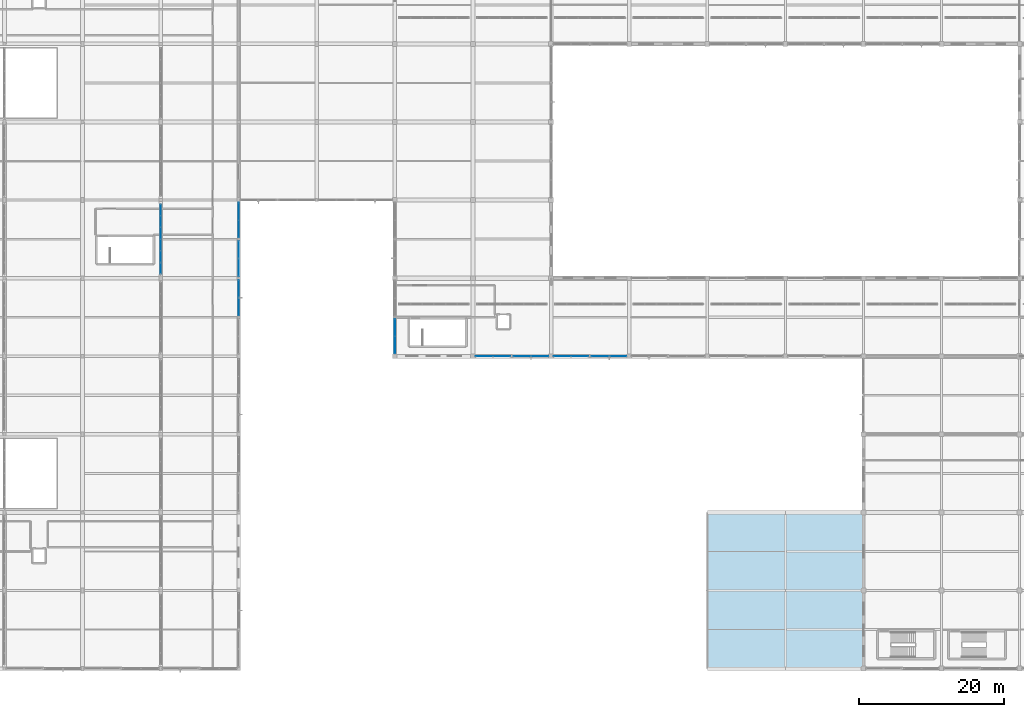
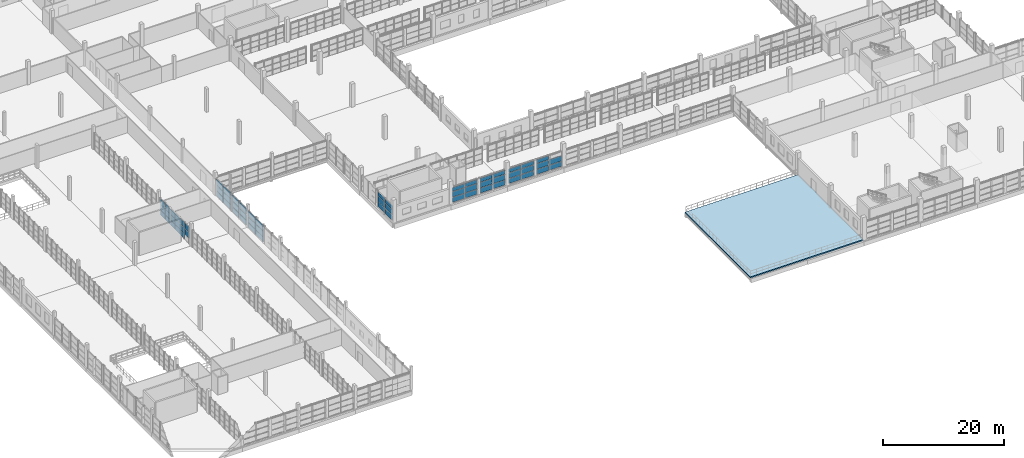
# One storey, part 85 of 142: 64 plates, 1 slab, 9 elements without a shape of their own.
"""IFC4 building model written with IfcOpenShell, lengths in metres."""

from ifc_helpers import new_model, si_unit, direction, frame, origin, origin_2d, place, context, subcontext, project, spatial, polyline, rectangle, outline, extrude, material, layer, layer_set, type_object, element, aggregate, save


model = new_model("IFC4")

# Units and contexts
model_context = context("Model", 3, precision=1e-05, world=origin(), true_north=direction((0.0, 1.0)))
body_context = subcontext(model_context, "Body", "Model", "MODEL_VIEW")
ifc_project = project(units=[si_unit("LENGTHUNIT", "METRE"), si_unit("AREAUNIT", "SQUARE_METRE"), si_unit("VOLUMEUNIT", "CUBIC_METRE"), si_unit("PLANEANGLEUNIT", "RADIAN"), si_unit("MASSUNIT", "GRAM", prefix="KILO")], contexts=[model_context])

# Site, building, storey
site_placement = place(None, origin())
site = spatial("IfcSite", under=ifc_project, at=site_placement, CompositionType="ELEMENT")
building_placement = place(site_placement, origin())
building = spatial("IfcBuilding", under=site, at=building_placement, Name="Zwinboog Wholesale Market", CompositionType="ELEMENT")
storey_placement = place(building_placement, frame((0.0, 0.0, 5.39990234375)))
storey = spatial("IfcBuildingStorey", under=building, at=storey_placement, Name="L01", CompositionType="ELEMENT", Elevation=5.39990234375)

# Slab
ifc_material_1 = material(Name="Concrete C40/50", Category="concrete")
ifc_layer_1 = layer(ifc_material_1, 0.241943359375)
ifc_layer_set_1 = layer_set([ifc_layer_1], Name="Concrete C40/50")
slab_type = type_object("IfcSlabType", Name="SLT-EX-242", PredefinedType="FLOOR", material=ifc_layer_set_1)
slab_placement = place(storey_placement, frame((0.0, 0.0, -0.241943359375)))
element("IfcSlab", 1, at=slab_placement, inside=storey, type_object=slab_type, Name="Market Canteen Park Dining Terrace", PredefinedType="FLOOR", context=body_context, shape_type="SweptSolid", body=[
    extrude(outline(polyline([(108.0, 0.0), (129.60009765625, 0.0), (129.60009765625, 21.60009765625), (108.0, 21.60009765625), (108.0, 0.0)])), origin(), (0.0, 0.0, 1.0), 0.241943359375),
])

# Curtain wall, plates
ifc_material_2 = material(Name="Aluminium thermally broken curtain wall", Category="aluminium")
curtain_wall_type_1 = type_object("IfcCurtainWallType", Name="CWT-OFF-15", PredefinedType="USERDEFINED", material=ifc_material_2)
curtain_wall_1_placement = place(storey_placement, origin())
curtain_wall_1 = element("IfcCurtainWall", 2, at=curtain_wall_1_placement, inside=storey, type_object=curtain_wall_type_1, Name="CW-06 (CW-L01-078)", ObjectType="UNITIZED_CURTAIN_WALL", PredefinedType="USERDEFINED")
ifc_material_3 = material(Name="Double low-e insulated glazing", Category="glass")
ifc_layer_2 = layer(ifc_material_3, 0.031982421875)
ifc_layer_set_2 = layer_set([ifc_layer_2], Name="Double low-e insulated glazing")
plate_type_1 = type_object("IfcPlateType", Name="CWP-IGU-32", PredefinedType="CURTAIN_PANEL", material=ifc_layer_set_2)
plate_1_placement = place(storey_placement, frame((43.199951171875, 50.06005859375, 0.06005859375), z_axis=(0.0, 0.0, 1.0), x_axis=(0.0, 1.0, 0.0)))
plate_1 = element("IfcPlate", 3, at=plate_1_placement, type_object=plate_type_1, Name="CW-06 panel 1.1", PredefinedType="CURTAIN_PANEL", context=body_context, shape_type="SweptSolid", body=[
    extrude(rectangle(XDim=2.39990234375, YDim=0.031982421875, at=origin_2d()), origin(), (0.0, 0.0, 1.0), 1.010009765625),
])
plate_2_placement = place(storey_placement, frame((43.199951171875, 50.06005859375, 1.1298828125), z_axis=(0.0, 0.0, 1.0), x_axis=(0.0, 1.0, 0.0)))
plate_2 = element("IfcPlate", 4, at=plate_2_placement, type_object=plate_type_1, Name="CW-06 panel 1.2", PredefinedType="CURTAIN_PANEL", context=body_context, shape_type="SweptSolid", body=[
    extrude(rectangle(XDim=2.39990234375, YDim=0.031982421875, at=origin_2d()), origin(), (0.0, 0.0, 1.0), 1.090087890625),
])
plate_3_placement = place(storey_placement, frame((43.199951171875, 50.06005859375, 2.280029296875), z_axis=(0.0, 0.0, 1.0), x_axis=(0.0, 1.0, 0.0)))
plate_3 = element("IfcPlate", 5, at=plate_3_placement, type_object=plate_type_1, Name="CW-06 panel 1.3", PredefinedType="CURTAIN_PANEL", context=body_context, shape_type="SweptSolid", body=[
    extrude(rectangle(XDim=2.39990234375, YDim=0.031982421875, at=origin_2d()), origin(), (0.0, 0.0, 1.0), 1.18994140625),
])
plate_4_placement = place(storey_placement, frame((43.199951171875, 52.52001953125, 0.06005859375), z_axis=(0.0, 0.0, 1.0), x_axis=(0.0, 1.0, 0.0)))
plate_4 = element("IfcPlate", 6, at=plate_4_placement, type_object=plate_type_1, Name="CW-06 panel 2.1", PredefinedType="CURTAIN_PANEL", context=body_context, shape_type="SweptSolid", body=[
    extrude(rectangle(XDim=2.39990234375, YDim=0.031982421875, at=origin_2d()), origin(), (0.0, 0.0, 1.0), 1.010009765625),
])
plate_5_placement = place(storey_placement, frame((43.199951171875, 52.52001953125, 1.1298828125), z_axis=(0.0, 0.0, 1.0), x_axis=(0.0, 1.0, 0.0)))
plate_5 = element("IfcPlate", 7, at=plate_5_placement, type_object=plate_type_1, Name="CW-06 panel 2.2", PredefinedType="CURTAIN_PANEL", context=body_context, shape_type="SweptSolid", body=[
    extrude(rectangle(XDim=2.39990234375, YDim=0.031982421875, at=origin_2d()), origin(), (0.0, 0.0, 1.0), 1.090087890625),
])
plate_6_placement = place(storey_placement, frame((43.199951171875, 52.52001953125, 2.280029296875), z_axis=(0.0, 0.0, 1.0), x_axis=(0.0, 1.0, 0.0)))
plate_6 = element("IfcPlate", 8, at=plate_6_placement, type_object=plate_type_1, Name="CW-06 panel 2.3", PredefinedType="CURTAIN_PANEL", context=body_context, shape_type="SweptSolid", body=[
    extrude(rectangle(XDim=2.39990234375, YDim=0.031982421875, at=origin_2d()), origin(), (0.0, 0.0, 1.0), 1.18994140625),
])
aggregate(curtain_wall_1, [plate_1, plate_2, plate_3, plate_4, plate_5, plate_6])

curtain_wall_type_2 = type_object("IfcCurtainWallType", Name="CWT-STALL-18", PredefinedType="USERDEFINED", material=ifc_material_2)
curtain_wall_2_placement = place(storey_placement, origin())
curtain_wall_2 = element("IfcCurtainWall", 9, at=curtain_wall_2_placement, inside=storey, type_object=curtain_wall_type_2, Name="CW-01 (CW-L01-079)", ObjectType="STOREFRONT_GLAZING", PredefinedType="USERDEFINED")
plate_7_placement = place(storey_placement, frame((43.199951171875, 55.481201171875, 0.065185546875), z_axis=(0.0, 0.0, 1.0), x_axis=(0.0, 1.0, 0.0)))
plate_7 = element("IfcPlate", 10, at=plate_7_placement, type_object=plate_type_1, Name="CW-01 panel 1.1", PredefinedType="CURTAIN_PANEL", context=body_context, shape_type="SweptSolid", body=[
    extrude(rectangle(XDim=2.392578125, YDim=0.031982421875, at=origin_2d()), origin(), (0.0, 0.0, 1.0), 1.00244140625),
])
plate_8_placement = place(storey_placement, frame((43.199951171875, 55.481201171875, 1.132568359375), z_axis=(0.0, 0.0, 1.0), x_axis=(0.0, 1.0, 0.0)))
plate_8 = element("IfcPlate", 11, at=plate_8_placement, type_object=plate_type_1, Name="CW-01 panel 1.2", PredefinedType="CURTAIN_PANEL", context=body_context, shape_type="SweptSolid", body=[
    extrude(rectangle(XDim=2.392578125, YDim=0.031982421875, at=origin_2d()), origin(), (0.0, 0.0, 1.0), 1.0849609375),
])
plate_9_placement = place(storey_placement, frame((43.199951171875, 55.481201171875, 2.282470703125), z_axis=(0.0, 0.0, 1.0), x_axis=(0.0, 1.0, 0.0)))
plate_9 = element("IfcPlate", 12, at=plate_9_placement, type_object=plate_type_1, Name="CW-01 panel 1.3", PredefinedType="CURTAIN_PANEL", context=body_context, shape_type="SweptSolid", body=[
    extrude(rectangle(XDim=2.392578125, YDim=0.031982421875, at=origin_2d()), origin(), (0.0, 0.0, 1.0), 1.1826171875),
])
plate_10_placement = place(storey_placement, frame((43.199951171875, 57.938720703125, 0.065185546875), z_axis=(0.0, 0.0, 1.0), x_axis=(0.0, 1.0, 0.0)))
plate_10 = element("IfcPlate", 13, at=plate_10_placement, type_object=plate_type_1, Name="CW-01 panel 2.1", PredefinedType="CURTAIN_PANEL", context=body_context, shape_type="SweptSolid", body=[
    extrude(rectangle(XDim=2.392578125, YDim=0.031982421875, at=origin_2d()), origin(), (0.0, 0.0, 1.0), 1.00244140625),
])
plate_11_placement = place(storey_placement, frame((43.199951171875, 57.938720703125, 1.132568359375), z_axis=(0.0, 0.0, 1.0), x_axis=(0.0, 1.0, 0.0)))
plate_11 = element("IfcPlate", 14, at=plate_11_placement, type_object=plate_type_1, Name="CW-01 panel 2.2", PredefinedType="CURTAIN_PANEL", context=body_context, shape_type="SweptSolid", body=[
    extrude(rectangle(XDim=2.392578125, YDim=0.031982421875, at=origin_2d()), origin(), (0.0, 0.0, 1.0), 1.0849609375),
])
plate_12_placement = place(storey_placement, frame((43.199951171875, 57.938720703125, 2.282470703125), z_axis=(0.0, 0.0, 1.0), x_axis=(0.0, 1.0, 0.0)))
plate_12 = element("IfcPlate", 15, at=plate_12_placement, type_object=plate_type_1, Name="CW-01 panel 2.3", PredefinedType="CURTAIN_PANEL", context=body_context, shape_type="SweptSolid", body=[
    extrude(rectangle(XDim=2.392578125, YDim=0.031982421875, at=origin_2d()), origin(), (0.0, 0.0, 1.0), 1.1826171875),
])
aggregate(curtain_wall_2, [plate_7, plate_8, plate_9, plate_10, plate_11, plate_12])

curtain_wall_type_3 = type_object("IfcCurtainWallType", Name="CWT-STALL-20", PredefinedType="USERDEFINED", material=ifc_material_2)
curtain_wall_3_placement = place(storey_placement, origin())
curtain_wall_3 = element("IfcCurtainWall", 16, at=curtain_wall_3_placement, inside=storey, type_object=curtain_wall_type_3, Name="CW-02 (CW-L01-080)", ObjectType="STOREFRONT_GLAZING", PredefinedType="USERDEFINED")
plate_13_placement = place(storey_placement, frame((43.199951171875, 60.8349609375, 0.06005859375), z_axis=(0.0, 0.0, 1.0), x_axis=(0.0, 1.0, 0.0)))
plate_13 = element("IfcPlate", 17, at=plate_13_placement, type_object=plate_type_1, Name="CW-02 panel 1.1", PredefinedType="CURTAIN_PANEL", context=body_context, shape_type="SweptSolid", body=[
    extrude(rectangle(XDim=2.35009765625, YDim=0.031982421875, at=origin_2d()), origin(), (0.0, 0.0, 1.0), 1.010009765625),
])
plate_14_placement = place(storey_placement, frame((43.199951171875, 60.8349609375, 1.1298828125), z_axis=(0.0, 0.0, 1.0), x_axis=(0.0, 1.0, 0.0)))
plate_14 = element("IfcPlate", 18, at=plate_14_placement, type_object=plate_type_1, Name="CW-02 panel 1.2", PredefinedType="CURTAIN_PANEL", context=body_context, shape_type="SweptSolid", body=[
    extrude(rectangle(XDim=2.35009765625, YDim=0.031982421875, at=origin_2d()), origin(), (0.0, 0.0, 1.0), 1.090087890625),
])
plate_15_placement = place(storey_placement, frame((43.199951171875, 60.8349609375, 2.280029296875), z_axis=(0.0, 0.0, 1.0), x_axis=(0.0, 1.0, 0.0)))
plate_15 = element("IfcPlate", 19, at=plate_15_placement, type_object=plate_type_1, Name="CW-02 panel 1.3", PredefinedType="CURTAIN_PANEL", context=body_context, shape_type="SweptSolid", body=[
    extrude(rectangle(XDim=2.35009765625, YDim=0.031982421875, at=origin_2d()), origin(), (0.0, 0.0, 1.0), 1.18994140625),
])
plate_16_placement = place(storey_placement, frame((43.199951171875, 63.2451171875, 0.06005859375), z_axis=(0.0, 0.0, 1.0), x_axis=(0.0, 1.0, 0.0)))
plate_16 = element("IfcPlate", 20, at=plate_16_placement, type_object=plate_type_1, Name="CW-02 panel 2.1", PredefinedType="CURTAIN_PANEL", context=body_context, shape_type="SweptSolid", body=[
    extrude(rectangle(XDim=2.35009765625, YDim=0.031982421875, at=origin_2d()), origin(), (0.0, 0.0, 1.0), 1.010009765625),
])
plate_17_placement = place(storey_placement, frame((43.199951171875, 63.2451171875, 1.1298828125), z_axis=(0.0, 0.0, 1.0), x_axis=(0.0, 1.0, 0.0)))
plate_17 = element("IfcPlate", 21, at=plate_17_placement, type_object=plate_type_1, Name="CW-02 panel 2.2", PredefinedType="CURTAIN_PANEL", context=body_context, shape_type="SweptSolid", body=[
    extrude(rectangle(XDim=2.35009765625, YDim=0.031982421875, at=origin_2d()), origin(), (0.0, 0.0, 1.0), 1.090087890625),
])
plate_18_placement = place(storey_placement, frame((43.199951171875, 63.2451171875, 2.280029296875), z_axis=(0.0, 0.0, 1.0), x_axis=(0.0, 1.0, 0.0)))
plate_18 = element("IfcPlate", 22, at=plate_18_placement, type_object=plate_type_1, Name="CW-02 panel 2.3", PredefinedType="CURTAIN_PANEL", context=body_context, shape_type="SweptSolid", body=[
    extrude(rectangle(XDim=2.35009765625, YDim=0.031982421875, at=origin_2d()), origin(), (0.0, 0.0, 1.0), 1.18994140625),
])
aggregate(curtain_wall_3, [plate_13, plate_14, plate_15, plate_16, plate_17, plate_18])

curtain_wall_4_placement = place(storey_placement, origin())
curtain_wall_4 = element("IfcCurtainWall", 23, at=curtain_wall_4_placement, inside=storey, type_object=curtain_wall_type_2, Name="CW-01 (CW-L01-085)", ObjectType="STOREFRONT_GLAZING", PredefinedType="USERDEFINED")
ifc_material_4 = material(Name="Triple solar-control insulated glazing", Category="glass")
ifc_layer_3 = layer(ifc_material_4, 0.0380859375)
ifc_layer_set_3 = layer_set([ifc_layer_3], Name="Triple solar-control insulated glazing")
plate_type_2 = type_object("IfcPlateType", Name="CWP-IGU-38", PredefinedType="CURTAIN_PANEL", material=ifc_layer_set_3)
plate_19_placement = place(storey_placement, frame((64.800048828125, 44.75634765625, 0.065185546875), z_axis=(0.0, 0.0, 1.0), x_axis=(0.0, 1.0, 0.0)))
plate_19 = element("IfcPlate", 24, at=plate_19_placement, type_object=plate_type_2, Name="CW-01 panel 1.1", PredefinedType="CURTAIN_PANEL", context=body_context, shape_type="SweptSolid", body=[
    extrude(rectangle(XDim=2.342529296875, YDim=0.0380859375, at=origin_2d()), origin(), (0.0, 0.0, 1.0), 1.00244140625),
])
plate_20_placement = place(storey_placement, frame((64.800048828125, 44.75634765625, 1.132568359375), z_axis=(0.0, 0.0, 1.0), x_axis=(0.0, 1.0, 0.0)))
plate_20 = element("IfcPlate", 25, at=plate_20_placement, type_object=plate_type_2, Name="CW-01 panel 1.2", PredefinedType="CURTAIN_PANEL", context=body_context, shape_type="SweptSolid", body=[
    extrude(rectangle(XDim=2.342529296875, YDim=0.0380859375, at=origin_2d()), origin(), (0.0, 0.0, 1.0), 1.0849609375),
])
plate_21_placement = place(storey_placement, frame((64.800048828125, 44.75634765625, 2.28271484375), z_axis=(0.0, 0.0, 1.0), x_axis=(0.0, 1.0, 0.0)))
plate_21 = element("IfcPlate", 26, at=plate_21_placement, type_object=plate_type_2, Name="CW-01 panel 1.3", PredefinedType="CURTAIN_PANEL", context=body_context, shape_type="SweptSolid", body=[
    extrude(rectangle(XDim=2.342529296875, YDim=0.0380859375, at=origin_2d()), origin(), (0.0, 0.0, 1.0), 0.7724609375),
])
plate_22_placement = place(storey_placement, frame((64.800048828125, 47.163818359375, 0.065185546875), z_axis=(0.0, 0.0, 1.0), x_axis=(0.0, 1.0, 0.0)))
plate_22 = element("IfcPlate", 27, at=plate_22_placement, type_object=plate_type_2, Name="CW-01 panel 2.1", PredefinedType="CURTAIN_PANEL", context=body_context, shape_type="SweptSolid", body=[
    extrude(rectangle(XDim=2.342529296875, YDim=0.0380859375, at=origin_2d()), origin(), (0.0, 0.0, 1.0), 1.00244140625),
])
plate_23_placement = place(storey_placement, frame((64.800048828125, 47.163818359375, 1.132568359375), z_axis=(0.0, 0.0, 1.0), x_axis=(0.0, 1.0, 0.0)))
plate_23 = element("IfcPlate", 28, at=plate_23_placement, type_object=plate_type_2, Name="CW-01 panel 2.2", PredefinedType="CURTAIN_PANEL", context=body_context, shape_type="SweptSolid", body=[
    extrude(rectangle(XDim=2.342529296875, YDim=0.0380859375, at=origin_2d()), origin(), (0.0, 0.0, 1.0), 1.0849609375),
])
plate_24_placement = place(storey_placement, frame((64.800048828125, 47.163818359375, 2.28271484375), z_axis=(0.0, 0.0, 1.0), x_axis=(0.0, 1.0, 0.0)))
plate_24 = element("IfcPlate", 29, at=plate_24_placement, type_object=plate_type_2, Name="CW-01 panel 2.3", PredefinedType="CURTAIN_PANEL", context=body_context, shape_type="SweptSolid", body=[
    extrude(rectangle(XDim=2.342529296875, YDim=0.0380859375, at=origin_2d()), origin(), (0.0, 0.0, 1.0), 0.7724609375),
])
aggregate(curtain_wall_4, [plate_19, plate_20, plate_21, plate_22, plate_23, plate_24])

curtain_wall_type_4 = type_object("IfcCurtainWallType", Name="CWT-CAFE-22", PredefinedType="USERDEFINED", material=ifc_material_2)
curtain_wall_5_placement = place(storey_placement, origin())
curtain_wall_5 = element("IfcCurtainWall", 30, at=curtain_wall_5_placement, inside=storey, type_object=curtain_wall_type_4, Name="CW-05 (CW-L01-089)", ObjectType="STOREFRONT_GLAZING", PredefinedType="USERDEFINED")
plate_25_placement = place(storey_placement, frame((77.15625, 43.199951171875, 0.065185546875), z_axis=(0.0, 0.0, 1.0), x_axis=(1.0, 0.0, 0.0)))
plate_25 = element("IfcPlate", 31, at=plate_25_placement, type_object=plate_type_2, Name="CW-05 panel 1.1", PredefinedType="CURTAIN_PANEL", context=body_context, shape_type="SweptSolid", body=[
    extrude(rectangle(XDim=2.342529296875, YDim=0.0380859375, at=origin_2d()), origin(), (0.0, 0.0, 1.0), 1.00244140625),
])
plate_26_placement = place(storey_placement, frame((77.15625, 43.199951171875, 1.132568359375), z_axis=(0.0, 0.0, 1.0), x_axis=(1.0, 0.0, 0.0)))
plate_26 = element("IfcPlate", 32, at=plate_26_placement, type_object=plate_type_2, Name="CW-05 panel 1.2", PredefinedType="CURTAIN_PANEL", context=body_context, shape_type="SweptSolid", body=[
    extrude(rectangle(XDim=2.342529296875, YDim=0.0380859375, at=origin_2d()), origin(), (0.0, 0.0, 1.0), 1.0849609375),
])
plate_27_placement = place(storey_placement, frame((77.15625, 43.199951171875, 2.28271484375), z_axis=(0.0, 0.0, 1.0), x_axis=(1.0, 0.0, 0.0)))
plate_27 = element("IfcPlate", 33, at=plate_27_placement, type_object=plate_type_2, Name="CW-05 panel 1.3", PredefinedType="CURTAIN_PANEL", context=body_context, shape_type="SweptSolid", body=[
    extrude(rectangle(XDim=2.342529296875, YDim=0.0380859375, at=origin_2d()), origin(), (0.0, 0.0, 1.0), 0.7724609375),
])
plate_28_placement = place(storey_placement, frame((79.563720703125, 43.199951171875, 0.065185546875), z_axis=(0.0, 0.0, 1.0), x_axis=(1.0, 0.0, 0.0)))
plate_28 = element("IfcPlate", 34, at=plate_28_placement, type_object=plate_type_2, Name="CW-05 panel 2.1", PredefinedType="CURTAIN_PANEL", context=body_context, shape_type="SweptSolid", body=[
    extrude(rectangle(XDim=2.342529296875, YDim=0.0380859375, at=origin_2d()), origin(), (0.0, 0.0, 1.0), 1.00244140625),
])
plate_29_placement = place(storey_placement, frame((79.563720703125, 43.199951171875, 1.132568359375), z_axis=(0.0, 0.0, 1.0), x_axis=(1.0, 0.0, 0.0)))
plate_29 = element("IfcPlate", 35, at=plate_29_placement, type_object=plate_type_2, Name="CW-05 panel 2.2", PredefinedType="CURTAIN_PANEL", context=body_context, shape_type="SweptSolid", body=[
    extrude(rectangle(XDim=2.342529296875, YDim=0.0380859375, at=origin_2d()), origin(), (0.0, 0.0, 1.0), 1.0849609375),
])
plate_30_placement = place(storey_placement, frame((79.563720703125, 43.199951171875, 2.28271484375), z_axis=(0.0, 0.0, 1.0), x_axis=(1.0, 0.0, 0.0)))
plate_30 = element("IfcPlate", 36, at=plate_30_placement, type_object=plate_type_2, Name="CW-05 panel 2.3", PredefinedType="CURTAIN_PANEL", context=body_context, shape_type="SweptSolid", body=[
    extrude(rectangle(XDim=2.342529296875, YDim=0.0380859375, at=origin_2d()), origin(), (0.0, 0.0, 1.0), 0.7724609375),
])
aggregate(curtain_wall_5, [plate_25, plate_26, plate_27, plate_28, plate_29, plate_30])

curtain_wall_6_placement = place(storey_placement, origin())
curtain_wall_6 = element("IfcCurtainWall", 37, at=curtain_wall_6_placement, inside=storey, type_object=curtain_wall_type_1, Name="CW-06 (CW-L01-090)", ObjectType="UNITIZED_CURTAIN_WALL", PredefinedType="USERDEFINED")
plate_31_placement = place(storey_placement, frame((82.43505859375, 43.199951171875, 0.06005859375), z_axis=(0.0, 0.0, 1.0), x_axis=(1.0, 0.0, 0.0)))
plate_31 = element("IfcPlate", 38, at=plate_31_placement, type_object=plate_type_2, Name="CW-06 panel 1.1", PredefinedType="CURTAIN_PANEL", context=body_context, shape_type="SweptSolid", body=[
    extrude(rectangle(XDim=2.35009765625, YDim=0.0380859375, at=origin_2d()), origin(), (0.0, 0.0, 1.0), 1.010009765625),
])
plate_32_placement = place(storey_placement, frame((82.43505859375, 43.199951171875, 1.1298828125), z_axis=(0.0, 0.0, 1.0), x_axis=(1.0, 0.0, 0.0)))
plate_32 = element("IfcPlate", 39, at=plate_32_placement, type_object=plate_type_2, Name="CW-06 panel 1.2", PredefinedType="CURTAIN_PANEL", context=body_context, shape_type="SweptSolid", body=[
    extrude(rectangle(XDim=2.35009765625, YDim=0.0380859375, at=origin_2d()), origin(), (0.0, 0.0, 1.0), 1.090087890625),
])
plate_33_placement = place(storey_placement, frame((82.43505859375, 43.199951171875, 2.2802734375), z_axis=(0.0, 0.0, 1.0), x_axis=(1.0, 0.0, 0.0)))
plate_33 = element("IfcPlate", 40, at=plate_33_placement, type_object=plate_type_2, Name="CW-06 panel 1.3", PredefinedType="CURTAIN_PANEL", context=body_context, shape_type="SweptSolid", body=[
    extrude(rectangle(XDim=2.35009765625, YDim=0.0380859375, at=origin_2d()), origin(), (0.0, 0.0, 1.0), 0.780029296875),
])
plate_34_placement = place(storey_placement, frame((84.844970703125, 43.199951171875, 0.06005859375), z_axis=(0.0, 0.0, 1.0), x_axis=(1.0, 0.0, 0.0)))
plate_34 = element("IfcPlate", 41, at=plate_34_placement, type_object=plate_type_2, Name="CW-06 panel 2.1", PredefinedType="CURTAIN_PANEL", context=body_context, shape_type="SweptSolid", body=[
    extrude(rectangle(XDim=2.35009765625, YDim=0.0380859375, at=origin_2d()), origin(), (0.0, 0.0, 1.0), 1.010009765625),
])
plate_35_placement = place(storey_placement, frame((84.844970703125, 43.199951171875, 1.1298828125), z_axis=(0.0, 0.0, 1.0), x_axis=(1.0, 0.0, 0.0)))
plate_35 = element("IfcPlate", 42, at=plate_35_placement, type_object=plate_type_2, Name="CW-06 panel 2.2", PredefinedType="CURTAIN_PANEL", context=body_context, shape_type="SweptSolid", body=[
    extrude(rectangle(XDim=2.35009765625, YDim=0.0380859375, at=origin_2d()), origin(), (0.0, 0.0, 1.0), 1.090087890625),
])
plate_36_placement = place(storey_placement, frame((84.844970703125, 43.199951171875, 2.2802734375), z_axis=(0.0, 0.0, 1.0), x_axis=(1.0, 0.0, 0.0)))
plate_36 = element("IfcPlate", 43, at=plate_36_placement, type_object=plate_type_2, Name="CW-06 panel 2.3", PredefinedType="CURTAIN_PANEL", context=body_context, shape_type="SweptSolid", body=[
    extrude(rectangle(XDim=2.35009765625, YDim=0.0380859375, at=origin_2d()), origin(), (0.0, 0.0, 1.0), 0.780029296875),
])
aggregate(curtain_wall_6, [plate_31, plate_32, plate_33, plate_34, plate_35, plate_36])

curtain_wall_7_placement = place(storey_placement, origin())
curtain_wall_7 = element("IfcCurtainWall", 44, at=curtain_wall_7_placement, inside=storey, type_object=curtain_wall_type_4, Name="CW-05 (CW-L01-095)", ObjectType="STOREFRONT_GLAZING", PredefinedType="USERDEFINED")
plate_37_placement = place(storey_placement, frame((87.956298828125, 43.199951171875, 0.065185546875), z_axis=(0.0, 0.0, 1.0), x_axis=(1.0, 0.0, 0.0)))
plate_37 = element("IfcPlate", 45, at=plate_37_placement, type_object=plate_type_2, Name="CW-05 panel 1.1", PredefinedType="CURTAIN_PANEL", context=body_context, shape_type="SweptSolid", body=[
    extrude(rectangle(XDim=2.342529296875, YDim=0.0380859375, at=origin_2d()), origin(), (0.0, 0.0, 1.0), 1.00244140625),
])
plate_38_placement = place(storey_placement, frame((87.956298828125, 43.199951171875, 1.132568359375), z_axis=(0.0, 0.0, 1.0), x_axis=(1.0, 0.0, 0.0)))
plate_38 = element("IfcPlate", 46, at=plate_38_placement, type_object=plate_type_2, Name="CW-05 panel 1.2", PredefinedType="CURTAIN_PANEL", context=body_context, shape_type="SweptSolid", body=[
    extrude(rectangle(XDim=2.342529296875, YDim=0.0380859375, at=origin_2d()), origin(), (0.0, 0.0, 1.0), 1.0849609375),
])
plate_39_placement = place(storey_placement, frame((87.956298828125, 43.199951171875, 2.28271484375), z_axis=(0.0, 0.0, 1.0), x_axis=(1.0, 0.0, 0.0)))
plate_39 = element("IfcPlate", 47, at=plate_39_placement, type_object=plate_type_2, Name="CW-05 panel 1.3", PredefinedType="CURTAIN_PANEL", context=body_context, shape_type="SweptSolid", body=[
    extrude(rectangle(XDim=2.342529296875, YDim=0.0380859375, at=origin_2d()), origin(), (0.0, 0.0, 1.0), 0.7724609375),
])
plate_40_placement = place(storey_placement, frame((90.36376953125, 43.199951171875, 0.065185546875), z_axis=(0.0, 0.0, 1.0), x_axis=(1.0, 0.0, 0.0)))
plate_40 = element("IfcPlate", 48, at=plate_40_placement, type_object=plate_type_2, Name="CW-05 panel 2.1", PredefinedType="CURTAIN_PANEL", context=body_context, shape_type="SweptSolid", body=[
    extrude(rectangle(XDim=2.342529296875, YDim=0.0380859375, at=origin_2d()), origin(), (0.0, 0.0, 1.0), 1.00244140625),
])
plate_41_placement = place(storey_placement, frame((90.36376953125, 43.199951171875, 1.132568359375), z_axis=(0.0, 0.0, 1.0), x_axis=(1.0, 0.0, 0.0)))
plate_41 = element("IfcPlate", 49, at=plate_41_placement, type_object=plate_type_2, Name="CW-05 panel 2.2", PredefinedType="CURTAIN_PANEL", context=body_context, shape_type="SweptSolid", body=[
    extrude(rectangle(XDim=2.342529296875, YDim=0.0380859375, at=origin_2d()), origin(), (0.0, 0.0, 1.0), 1.0849609375),
])
plate_42_placement = place(storey_placement, frame((90.36376953125, 43.199951171875, 2.28271484375), z_axis=(0.0, 0.0, 1.0), x_axis=(1.0, 0.0, 0.0)))
plate_42 = element("IfcPlate", 50, at=plate_42_placement, type_object=plate_type_2, Name="CW-05 panel 2.3", PredefinedType="CURTAIN_PANEL", context=body_context, shape_type="SweptSolid", body=[
    extrude(rectangle(XDim=2.342529296875, YDim=0.0380859375, at=origin_2d()), origin(), (0.0, 0.0, 1.0), 0.7724609375),
])
aggregate(curtain_wall_7, [plate_37, plate_38, plate_39, plate_40, plate_41, plate_42])

curtain_wall_8_placement = place(storey_placement, origin())
curtain_wall_8 = element("IfcCurtainWall", 51, at=curtain_wall_8_placement, inside=storey, type_object=curtain_wall_type_1, Name="CW-06 (CW-L01-096)", ObjectType="UNITIZED_CURTAIN_WALL", PredefinedType="USERDEFINED")
plate_43_placement = place(storey_placement, frame((93.235107421875, 43.199951171875, 0.06005859375), z_axis=(0.0, 0.0, 1.0), x_axis=(1.0, 0.0, 0.0)))
plate_43 = element("IfcPlate", 52, at=plate_43_placement, type_object=plate_type_2, Name="CW-06 panel 1.1", PredefinedType="CURTAIN_PANEL", context=body_context, shape_type="SweptSolid", body=[
    extrude(rectangle(XDim=2.35009765625, YDim=0.0380859375, at=origin_2d()), origin(), (0.0, 0.0, 1.0), 1.010009765625),
])
plate_44_placement = place(storey_placement, frame((93.235107421875, 43.199951171875, 1.1298828125), z_axis=(0.0, 0.0, 1.0), x_axis=(1.0, 0.0, 0.0)))
plate_44 = element("IfcPlate", 53, at=plate_44_placement, type_object=plate_type_2, Name="CW-06 panel 1.2", PredefinedType="CURTAIN_PANEL", context=body_context, shape_type="SweptSolid", body=[
    extrude(rectangle(XDim=2.35009765625, YDim=0.0380859375, at=origin_2d()), origin(), (0.0, 0.0, 1.0), 1.090087890625),
])
plate_45_placement = place(storey_placement, frame((93.235107421875, 43.199951171875, 2.2802734375), z_axis=(0.0, 0.0, 1.0), x_axis=(1.0, 0.0, 0.0)))
plate_45 = element("IfcPlate", 54, at=plate_45_placement, type_object=plate_type_2, Name="CW-06 panel 1.3", PredefinedType="CURTAIN_PANEL", context=body_context, shape_type="SweptSolid", body=[
    extrude(rectangle(XDim=2.35009765625, YDim=0.0380859375, at=origin_2d()), origin(), (0.0, 0.0, 1.0), 0.780029296875),
])
plate_46_placement = place(storey_placement, frame((95.64501953125, 43.199951171875, 0.06005859375), z_axis=(0.0, 0.0, 1.0), x_axis=(1.0, 0.0, 0.0)))
plate_46 = element("IfcPlate", 55, at=plate_46_placement, type_object=plate_type_2, Name="CW-06 panel 2.1", PredefinedType="CURTAIN_PANEL", context=body_context, shape_type="SweptSolid", body=[
    extrude(rectangle(XDim=2.35009765625, YDim=0.0380859375, at=origin_2d()), origin(), (0.0, 0.0, 1.0), 1.010009765625),
])
plate_47_placement = place(storey_placement, frame((95.64501953125, 43.199951171875, 1.1298828125), z_axis=(0.0, 0.0, 1.0), x_axis=(1.0, 0.0, 0.0)))
plate_47 = element("IfcPlate", 56, at=plate_47_placement, type_object=plate_type_2, Name="CW-06 panel 2.2", PredefinedType="CURTAIN_PANEL", context=body_context, shape_type="SweptSolid", body=[
    extrude(rectangle(XDim=2.35009765625, YDim=0.0380859375, at=origin_2d()), origin(), (0.0, 0.0, 1.0), 1.090087890625),
])
aggregate(curtain_wall_8, [plate_43, plate_44, plate_45, plate_46, plate_47])

curtain_wall_type_5 = type_object("IfcCurtainWallType", Name="CWT-INT-STALL", PredefinedType="USERDEFINED", material=ifc_material_2)
curtain_wall_9_placement = place(storey_placement, origin())
curtain_wall_9 = element("IfcCurtainWall", 57, at=curtain_wall_9_placement, inside=storey, type_object=curtain_wall_type_5, Name="CW-07 (CW-STL-268)", ObjectType="STOREFRONT_GLAZING", PredefinedType="USERDEFINED")
ifc_material_5 = material(Name="Tempered laminated market stall glazing", Category="glass")
ifc_layer_4 = layer(ifc_material_5, 0.01611328125)
ifc_layer_set_4 = layer_set([ifc_layer_4], Name="Tempered laminated market stall glazing")
plate_type_3 = type_object("IfcPlateType", Name="CWP-INT-16", PredefinedType="CURTAIN_PANEL", material=ifc_layer_set_4)
plate_48_placement = place(storey_placement, frame((32.39990234375, 55.373291015625, 1.080078125), z_axis=(0.0, 0.0, 1.0), x_axis=(0.0, 1.0, 0.0)))
plate_48 = element("IfcPlate", 58, at=plate_48_placement, type_object=plate_type_3, Name="CW-07 panel 1.2", PredefinedType="CURTAIN_PANEL", context=body_context, shape_type="SweptSolid", body=[
    extrude(rectangle(XDim=1.526611328125, YDim=0.01611328125, at=origin_2d()), origin(), (0.0, 0.0, 1.0), 1.090087890625),
])
plate_49_placement = place(storey_placement, frame((32.39990234375, 55.373291015625, 2.22998046875), z_axis=(0.0, 0.0, 1.0), x_axis=(0.0, 1.0, 0.0)))
plate_49 = element("IfcPlate", 59, at=plate_49_placement, type_object=plate_type_3, Name="CW-07 panel 1.3", PredefinedType="CURTAIN_PANEL", context=body_context, shape_type="SweptSolid", body=[
    extrude(rectangle(XDim=1.526611328125, YDim=0.01611328125, at=origin_2d()), origin(), (0.0, 0.0, 1.0), 1.110107421875),
])
plate_50_placement = place(storey_placement, frame((32.39990234375, 56.97509765625, 0.06005859375), z_axis=(0.0, 0.0, 1.0), x_axis=(0.0, 1.0, 0.0)))
plate_50 = element("IfcPlate", 60, at=plate_50_placement, type_object=plate_type_3, Name="CW-07 panel 2.1", PredefinedType="CURTAIN_PANEL", context=body_context, shape_type="SweptSolid", body=[
    extrude(rectangle(XDim=1.556640625, YDim=0.01611328125, at=origin_2d()), origin(), (0.0, 0.0, 1.0), 0.9599609375),
])
plate_51_placement = place(storey_placement, frame((32.39990234375, 56.97509765625, 1.080078125), z_axis=(0.0, 0.0, 1.0), x_axis=(0.0, 1.0, 0.0)))
plate_51 = element("IfcPlate", 61, at=plate_51_placement, type_object=plate_type_3, Name="CW-07 panel 2.2", PredefinedType="CURTAIN_PANEL", context=body_context, shape_type="SweptSolid", body=[
    extrude(rectangle(XDim=1.556640625, YDim=0.01611328125, at=origin_2d()), origin(), (0.0, 0.0, 1.0), 1.090087890625),
])
plate_52_placement = place(storey_placement, frame((32.39990234375, 56.97509765625, 2.22998046875), z_axis=(0.0, 0.0, 1.0), x_axis=(0.0, 1.0, 0.0)))
plate_52 = element("IfcPlate", 62, at=plate_52_placement, type_object=plate_type_3, Name="CW-07 panel 2.3", PredefinedType="CURTAIN_PANEL", context=body_context, shape_type="SweptSolid", body=[
    extrude(rectangle(XDim=1.556640625, YDim=0.01611328125, at=origin_2d()), origin(), (0.0, 0.0, 1.0), 1.110107421875),
])
plate_53_placement = place(storey_placement, frame((32.39990234375, 58.591552734375, 0.06005859375), z_axis=(0.0, 0.0, 1.0), x_axis=(0.0, 1.0, 0.0)))
plate_53 = element("IfcPlate", 63, at=plate_53_placement, type_object=plate_type_3, Name="CW-07 panel 3.1", PredefinedType="CURTAIN_PANEL", context=body_context, shape_type="SweptSolid", body=[
    extrude(rectangle(XDim=1.556640625, YDim=0.01611328125, at=origin_2d()), origin(), (0.0, 0.0, 1.0), 0.9599609375),
])
plate_54_placement = place(storey_placement, frame((32.39990234375, 58.591552734375, 1.080078125), z_axis=(0.0, 0.0, 1.0), x_axis=(0.0, 1.0, 0.0)))
plate_54 = element("IfcPlate", 64, at=plate_54_placement, type_object=plate_type_3, Name="CW-07 panel 3.2", PredefinedType="CURTAIN_PANEL", context=body_context, shape_type="SweptSolid", body=[
    extrude(rectangle(XDim=1.556640625, YDim=0.01611328125, at=origin_2d()), origin(), (0.0, 0.0, 1.0), 1.090087890625),
])
plate_55_placement = place(storey_placement, frame((32.39990234375, 58.591552734375, 2.22998046875), z_axis=(0.0, 0.0, 1.0), x_axis=(0.0, 1.0, 0.0)))
plate_55 = element("IfcPlate", 65, at=plate_55_placement, type_object=plate_type_3, Name="CW-07 panel 3.3", PredefinedType="CURTAIN_PANEL", context=body_context, shape_type="SweptSolid", body=[
    extrude(rectangle(XDim=1.556640625, YDim=0.01611328125, at=origin_2d()), origin(), (0.0, 0.0, 1.0), 1.110107421875),
])
plate_56_placement = place(storey_placement, frame((32.39990234375, 60.208251953125, 0.06005859375), z_axis=(0.0, 0.0, 1.0), x_axis=(0.0, 1.0, 0.0)))
plate_56 = element("IfcPlate", 66, at=plate_56_placement, type_object=plate_type_3, Name="CW-07 panel 4.1", PredefinedType="CURTAIN_PANEL", context=body_context, shape_type="SweptSolid", body=[
    extrude(rectangle(XDim=1.556640625, YDim=0.01611328125, at=origin_2d()), origin(), (0.0, 0.0, 1.0), 0.9599609375),
])
plate_57_placement = place(storey_placement, frame((32.39990234375, 60.208251953125, 1.080078125), z_axis=(0.0, 0.0, 1.0), x_axis=(0.0, 1.0, 0.0)))
plate_57 = element("IfcPlate", 67, at=plate_57_placement, type_object=plate_type_3, Name="CW-07 panel 4.2", PredefinedType="CURTAIN_PANEL", context=body_context, shape_type="SweptSolid", body=[
    extrude(rectangle(XDim=1.556640625, YDim=0.01611328125, at=origin_2d()), origin(), (0.0, 0.0, 1.0), 1.090087890625),
])
plate_58_placement = place(storey_placement, frame((32.39990234375, 60.208251953125, 2.22998046875), z_axis=(0.0, 0.0, 1.0), x_axis=(0.0, 1.0, 0.0)))
plate_58 = element("IfcPlate", 68, at=plate_58_placement, type_object=plate_type_3, Name="CW-07 panel 4.3", PredefinedType="CURTAIN_PANEL", context=body_context, shape_type="SweptSolid", body=[
    extrude(rectangle(XDim=1.556640625, YDim=0.01611328125, at=origin_2d()), origin(), (0.0, 0.0, 1.0), 1.110107421875),
])
plate_59_placement = place(storey_placement, frame((32.39990234375, 61.824951171875, 0.06005859375), z_axis=(0.0, 0.0, 1.0), x_axis=(0.0, 1.0, 0.0)))
plate_59 = element("IfcPlate", 69, at=plate_59_placement, type_object=plate_type_3, Name="CW-07 panel 5.1", PredefinedType="CURTAIN_PANEL", context=body_context, shape_type="SweptSolid", body=[
    extrude(rectangle(XDim=1.556640625, YDim=0.01611328125, at=origin_2d()), origin(), (0.0, 0.0, 1.0), 0.9599609375),
])
plate_60_placement = place(storey_placement, frame((32.39990234375, 61.824951171875, 1.080078125), z_axis=(0.0, 0.0, 1.0), x_axis=(0.0, 1.0, 0.0)))
plate_60 = element("IfcPlate", 70, at=plate_60_placement, type_object=plate_type_3, Name="CW-07 panel 5.2", PredefinedType="CURTAIN_PANEL", context=body_context, shape_type="SweptSolid", body=[
    extrude(rectangle(XDim=1.556640625, YDim=0.01611328125, at=origin_2d()), origin(), (0.0, 0.0, 1.0), 1.090087890625),
])
plate_61_placement = place(storey_placement, frame((32.39990234375, 61.824951171875, 2.22998046875), z_axis=(0.0, 0.0, 1.0), x_axis=(0.0, 1.0, 0.0)))
plate_61 = element("IfcPlate", 71, at=plate_61_placement, type_object=plate_type_3, Name="CW-07 panel 5.3", PredefinedType="CURTAIN_PANEL", context=body_context, shape_type="SweptSolid", body=[
    extrude(rectangle(XDim=1.556640625, YDim=0.01611328125, at=origin_2d()), origin(), (0.0, 0.0, 1.0), 1.110107421875),
])
plate_62_placement = place(storey_placement, frame((32.39990234375, 63.4267578125, 0.06005859375), z_axis=(0.0, 0.0, 1.0), x_axis=(0.0, 1.0, 0.0)))
plate_62 = element("IfcPlate", 72, at=plate_62_placement, type_object=plate_type_3, Name="CW-07 panel 6.1", PredefinedType="CURTAIN_PANEL", context=body_context, shape_type="SweptSolid", body=[
    extrude(rectangle(XDim=1.526611328125, YDim=0.01611328125, at=origin_2d()), origin(), (0.0, 0.0, 1.0), 0.9599609375),
])
plate_63_placement = place(storey_placement, frame((32.39990234375, 63.4267578125, 1.080078125), z_axis=(0.0, 0.0, 1.0), x_axis=(0.0, 1.0, 0.0)))
plate_63 = element("IfcPlate", 73, at=plate_63_placement, type_object=plate_type_3, Name="CW-07 panel 6.2", PredefinedType="CURTAIN_PANEL", context=body_context, shape_type="SweptSolid", body=[
    extrude(rectangle(XDim=1.526611328125, YDim=0.01611328125, at=origin_2d()), origin(), (0.0, 0.0, 1.0), 1.090087890625),
])
plate_64_placement = place(storey_placement, frame((32.39990234375, 63.4267578125, 2.22998046875), z_axis=(0.0, 0.0, 1.0), x_axis=(0.0, 1.0, 0.0)))
plate_64 = element("IfcPlate", 74, at=plate_64_placement, type_object=plate_type_3, Name="CW-07 panel 6.3", PredefinedType="CURTAIN_PANEL", context=body_context, shape_type="SweptSolid", body=[
    extrude(rectangle(XDim=1.526611328125, YDim=0.01611328125, at=origin_2d()), origin(), (0.0, 0.0, 1.0), 1.110107421875),
])
aggregate(curtain_wall_9, [plate_48, plate_49, plate_50, plate_51, plate_52, plate_53, plate_54, plate_55, plate_56, plate_57, plate_58, plate_59, plate_60, plate_61, plate_62, plate_63, plate_64])

save(model, "model.ifc")
